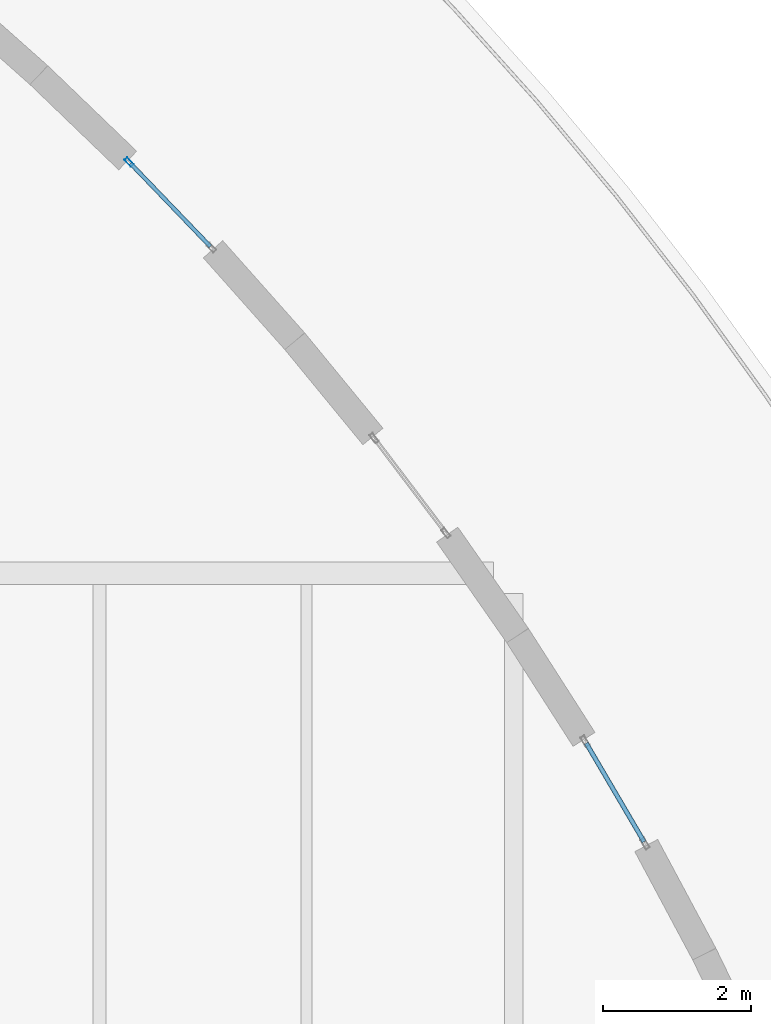
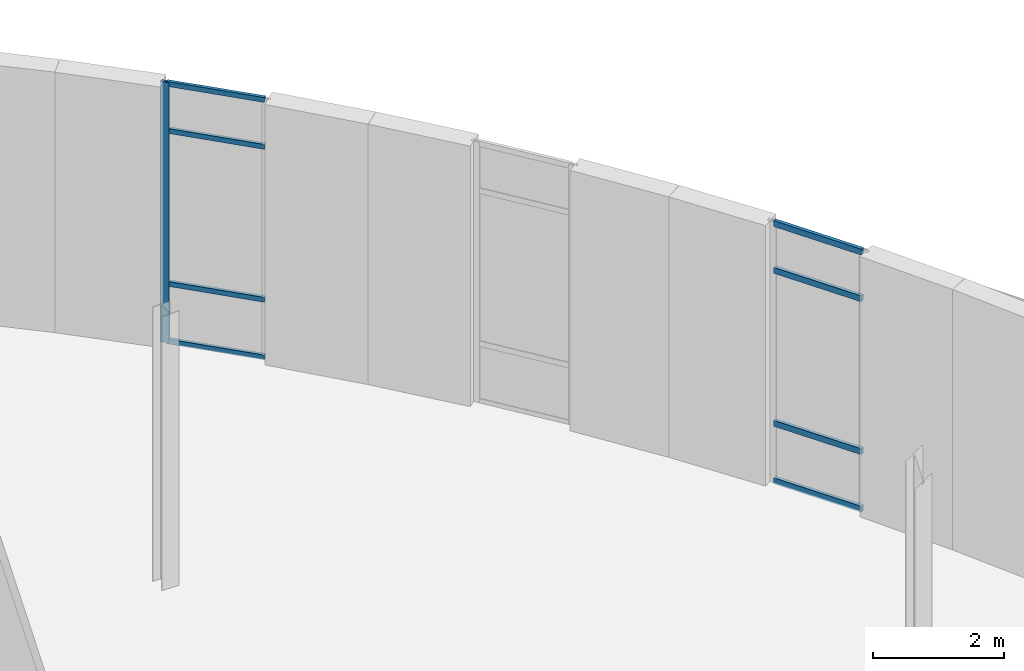
# One storey, part 58 of 91: 9 members, 2 elements without a shape of their own.
"""IFC4 building model written with IfcOpenShell, lengths in metres."""

from ifc_helpers import new_model, si_unit, direction, frame, origin, origin_2d, place, context, subcontext, project, spatial, hollow_rectangle, extrude, material, layer, layer_set, material_profile, profile_set, type_object, element, aggregate, save


model = new_model("IFC4")

# Units and contexts
model_context = context("Model", 3, precision=1e-05, world=origin(), true_north=direction((0.0, 1.0)))
body_context = subcontext(model_context, "Body", "Model", "MODEL_VIEW")
ifc_project = project(units=[si_unit("LENGTHUNIT", "METRE"), si_unit("AREAUNIT", "SQUARE_METRE"), si_unit("VOLUMEUNIT", "CUBIC_METRE"), si_unit("PLANEANGLEUNIT", "RADIAN"), si_unit("MASSUNIT", "GRAM", prefix="KILO"), si_unit("THERMODYNAMICTEMPERATUREUNIT", "KELVIN")], contexts=[model_context])

# Site, building, storey
site_placement = place(None, origin())
site = spatial("IfcSite", under=ifc_project, at=site_placement, CompositionType="ELEMENT")
building_placement = place(site_placement, origin())
building = spatial("IfcBuilding", under=site, at=building_placement, Name="Lustrewick Department Store", CompositionType="ELEMENT")
storey_placement = place(building_placement, frame((0.0, 0.0, 21.60009765625)))
storey = spatial("IfcBuildingStorey", under=building, at=storey_placement, Name="L05", CompositionType="ELEMENT", Elevation=21.60009765625)

# Curtain wall, members
ifc_material = material(Name="Thermally broken aluminium 6063-T5", Category="aluminium")
ifc_layer_1 = layer(ifc_material, 0.14990234375, Name="Thermally broken aluminium 6063-T5")
ifc_layer_set_1 = layer_set([ifc_layer_1], Name="Thermally broken aluminium 6063-T5")
curtain_wall_type_1 = type_object("IfcCurtainWallType", Name="CW05", PredefinedType="NOTDEFINED", material=ifc_layer_set_1)
curtain_wall_1_placement = place(storey_placement, origin())
curtain_wall_1 = element("IfcCurtainWall", 1, at=curtain_wall_1_placement, inside=storey, type_object=curtain_wall_type_1, Name="L05 V4 Curtain Wall CW05", PredefinedType="NOTDEFINED")
ifc_material_profile_1 = material_profile(ifc_material, hollow_rectangle(XDim=0.06005859375, YDim=0.110107421875, WallThickness=0.0029296875, at=origin_2d()), Name="ALU-T 60x110x3")
ifc_profile_set_1 = profile_set([ifc_material_profile_1], Name="Thermally broken aluminium 6063-T5")
member_type_1 = type_object("IfcMemberType", Name="CW05-T1", PredefinedType="USERDEFINED", material=ifc_profile_set_1)
member_1_placement = place(storey_placement, frame((152.96337890625, 80.369384765625, 0.02978515625), z_axis=(-0.505707332478, 0.862705102499, 0.0), x_axis=(-0.862705102499, -0.505707332478, 0.0)))
member_1 = element("IfcMember", 2, at=member_1_placement, type_object=member_type_1, Name="CW05 transom 1.1", ObjectType="TRANSOM", PredefinedType="USERDEFINED", context=body_context, shape_type="SweptSolid", body=[
    extrude(hollow_rectangle(XDim=0.06005859375, YDim=0.110107421875, WallThickness=0.0029296875, at=origin_2d()), origin(), (0.0, 0.0, 1.0), 1.544921875),
])
member_2_placement = place(storey_placement, frame((152.96337890625, 80.369384765625, 1.099853515625), z_axis=(-0.505707332478, 0.862705102499, 0.0), x_axis=(-0.862705102499, -0.505707332478, 0.0)))
member_2 = element("IfcMember", 3, at=member_2_placement, type_object=member_type_1, Name="CW05 transom 1.2", ObjectType="TRANSOM", PredefinedType="USERDEFINED", context=body_context, shape_type="SweptSolid", body=[
    extrude(hollow_rectangle(XDim=0.06005859375, YDim=0.110107421875, WallThickness=0.0029296875, at=origin_2d()), origin(), (0.0, 0.0, 1.0), 1.544921875),
])
member_3_placement = place(storey_placement, frame((152.96337890625, 80.369384765625, 3.94482421875), z_axis=(-0.505707332478, 0.862705102499, 0.0), x_axis=(-0.862705102499, -0.505707332478, 0.0)))
member_3 = element("IfcMember", 4, at=member_3_placement, type_object=member_type_1, Name="CW05 transom 1.3", ObjectType="TRANSOM", PredefinedType="USERDEFINED", context=body_context, shape_type="SweptSolid", body=[
    extrude(hollow_rectangle(XDim=0.06005859375, YDim=0.110107421875, WallThickness=0.0029296875, at=origin_2d()), origin(), (0.0, 0.0, 1.0), 1.544921875),
])
member_4_placement = place(storey_placement, frame((152.96337890625, 80.369384765625, 4.81494140625), z_axis=(-0.505707332478, 0.862705102499, 0.0), x_axis=(-0.862705102499, -0.505707332478, 0.0)))
member_4 = element("IfcMember", 5, at=member_4_placement, type_object=member_type_1, Name="CW05 transom 1.4", ObjectType="TRANSOM", PredefinedType="USERDEFINED", context=body_context, shape_type="SweptSolid", body=[
    extrude(hollow_rectangle(XDim=0.06005859375, YDim=0.110107421875, WallThickness=0.0029296875, at=origin_2d()), origin(), (0.0, 0.0, 1.0), 1.544921875),
])
aggregate(curtain_wall_1, [member_1, member_2, member_3, member_4])

ifc_layer_2 = layer(ifc_material, 0.1298828125, Name="Thermally broken aluminium 6063-T5")
ifc_layer_set_2 = layer_set([ifc_layer_2], Name="Thermally broken aluminium 6063-T5")
curtain_wall_type_2 = type_object("IfcCurtainWallType", Name="CW07", PredefinedType="NOTDEFINED", material=ifc_layer_set_2)
curtain_wall_2_placement = place(storey_placement, origin())
curtain_wall_2 = element("IfcCurtainWall", 6, at=curtain_wall_2_placement, inside=storey, type_object=curtain_wall_type_2, Name="L05 V4 Curtain Wall CW07", PredefinedType="NOTDEFINED")
ifc_material_profile_2 = material_profile(ifc_material, hollow_rectangle(XDim=0.054931640625, YDim=0.1298828125, WallThickness=0.00341796875, at=origin_2d()), Name="ALU-M 55x130x3.5")
ifc_profile_set_2 = profile_set([ifc_material_profile_2], Name="Thermally broken aluminium 6063-T5")
member_type_2 = type_object("IfcMemberType", Name="CW07-M1", PredefinedType="MULLION", material=ifc_profile_set_2)
member_5_placement = place(storey_placement, frame((146.000244140625, 89.5615234375, 0.0), z_axis=(0.0, 0.0, 1.0), x_axis=(-0.720815752134, -0.693126721081, 0.0)))
member_5 = element("IfcMember", 7, at=member_5_placement, type_object=member_type_2, Name="CW07 mullion 2", PredefinedType="MULLION", context=body_context, shape_type="SweptSolid", body=[
    extrude(hollow_rectangle(XDim=0.054931640625, YDim=0.1298828125, WallThickness=0.00341796875, at=origin_2d()), origin(), (0.0, 0.0, 1.0), 4.844970703125),
])
ifc_material_profile_3 = material_profile(ifc_material, hollow_rectangle(XDim=0.054931640625, YDim=0.090087890625, WallThickness=0.0029296875, at=origin_2d()), Name="ALU-T 55x90x3")
ifc_profile_set_3 = profile_set([ifc_material_profile_3], Name="Thermally broken aluminium 6063-T5")
member_type_3 = type_object("IfcMemberType", Name="CW07-T1", PredefinedType="USERDEFINED", material=ifc_profile_set_3)
member_6_placement = place(storey_placement, frame((147.09716796875, 88.4208984375, 0.02734375), z_axis=(-0.693074198211, 0.720866253735, 0.0), x_axis=(-0.720866253735, -0.693074198211, 0.0)))
member_6 = element("IfcMember", 8, at=member_6_placement, type_object=member_type_3, Name="CW07 transom 1.1", ObjectType="TRANSOM", PredefinedType="USERDEFINED", context=body_context, shape_type="SweptSolid", body=[
    extrude(hollow_rectangle(XDim=0.054931640625, YDim=0.090087890625, WallThickness=0.0029296875, at=origin_2d()), origin(), (0.0, 0.0, 1.0), 1.554931640625),
])
member_7_placement = place(storey_placement, frame((147.09716796875, 88.4208984375, 1.099853515625), z_axis=(-0.693074198211, 0.720866253735, 0.0), x_axis=(-0.720866253735, -0.693074198211, 0.0)))
member_7 = element("IfcMember", 9, at=member_7_placement, type_object=member_type_3, Name="CW07 transom 1.2", ObjectType="TRANSOM", PredefinedType="USERDEFINED", context=body_context, shape_type="SweptSolid", body=[
    extrude(hollow_rectangle(XDim=0.054931640625, YDim=0.090087890625, WallThickness=0.0029296875, at=origin_2d()), origin(), (0.0, 0.0, 1.0), 1.554931640625),
])
member_8_placement = place(storey_placement, frame((147.09716796875, 88.4208984375, 3.94482421875), z_axis=(-0.693074198211, 0.720866253735, 0.0), x_axis=(-0.720866253735, -0.693074198211, 0.0)))
member_8 = element("IfcMember", 10, at=member_8_placement, type_object=member_type_3, Name="CW07 transom 1.3", ObjectType="TRANSOM", PredefinedType="USERDEFINED", context=body_context, shape_type="SweptSolid", body=[
    extrude(hollow_rectangle(XDim=0.054931640625, YDim=0.090087890625, WallThickness=0.0029296875, at=origin_2d()), origin(), (0.0, 0.0, 1.0), 1.554931640625),
])
member_9_placement = place(storey_placement, frame((147.09716796875, 88.4208984375, 4.8173828125), z_axis=(-0.693074198211, 0.720866253735, 0.0), x_axis=(-0.720866253735, -0.693074198211, 0.0)))
member_9 = element("IfcMember", 11, at=member_9_placement, type_object=member_type_3, Name="CW07 transom 1.4", ObjectType="TRANSOM", PredefinedType="USERDEFINED", context=body_context, shape_type="SweptSolid", body=[
    extrude(hollow_rectangle(XDim=0.054931640625, YDim=0.090087890625, WallThickness=0.0029296875, at=origin_2d()), origin(), (0.0, 0.0, 1.0), 1.554931640625),
])
aggregate(curtain_wall_2, [member_5, member_6, member_7, member_8, member_9])

save(model, "model.ifc")
